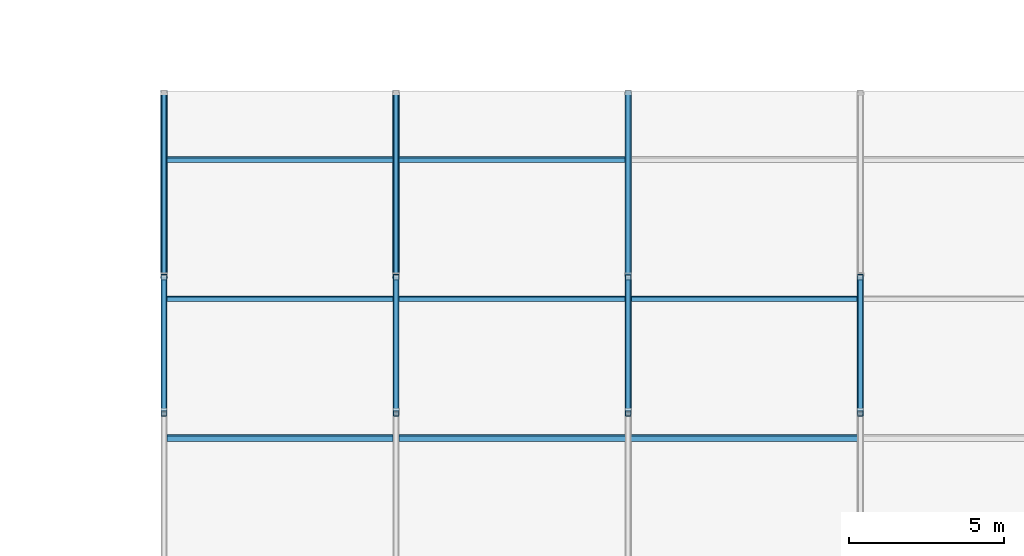
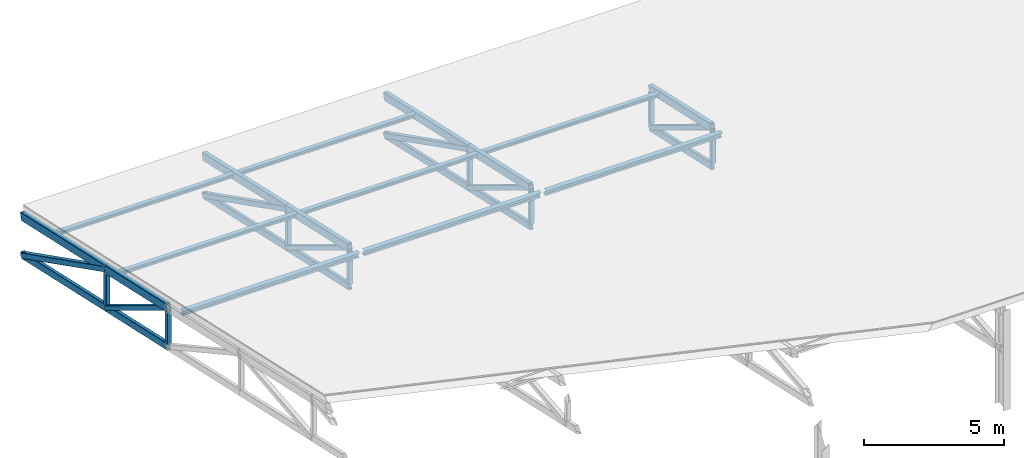
# One storey, part 34 of 77: 37 members.
"""IFC4 building model written with IfcOpenShell, lengths in metres."""

import ifcopenshell
import ifcopenshell.guid

model = None  # the IFC model being written
_history = None  # IfcOwnerHistory: only IFC2X3 demands one
_inside = {}  # id of a spatial element -> (the spatial element, [elements in it])
_under = {}  # id of a project, library or spatial element -> (it, [spatial elements below it])
_declared = {}  # id of a project -> (the project, [libraries it declares])
_typed = {}  # id of a type object -> (the type object, [elements of that type])
_made_of = {}  # id of a material, layer set ... -> (it, [elements and type objects made of it])


def new_model(schema):
    """Start an empty IFC model of exactly this schema.

    Asked for "IFC4X3", IfcOpenShell would pick the latest addendum, in which some entities
    have other attributes; the version numbers below select the first issue.
    IFC2X3 requires an IfcOwnerHistory on every rooted entity: one is made here for all.
    """
    global model, _history
    if schema == "IFC4X3":
        model = ifcopenshell.file(schema_version=(4, 3, 0, 0))
    else:
        model = ifcopenshell.file(schema=schema)
    _inside.clear()
    _under.clear()
    _declared.clear()
    _typed.clear()
    _made_of.clear()
    _history = None
    if model.schema == "IFC2X3":
        org = make("IfcOrganization", Name="unknown")
        user = make(
            "IfcPersonAndOrganization",
            ThePerson=make("IfcPerson", FamilyName="unknown"),
            TheOrganization=org,
        )
        app = make(
            "IfcApplication",
            ApplicationDeveloper=org,
            Version="unknown",
            ApplicationFullName="unknown",
            ApplicationIdentifier="unknown",
        )
        _history = make(
            "IfcOwnerHistory",
            OwningUser=user,
            OwningApplication=app,
            ChangeAction="ADDED",
            CreationDate=0,
        )
    return model


def make(cls, **values):
    """One entity of the class cls with the attributes given. An attribute that is None is left unset."""
    return model.create_entity(
        cls, **{name: value for name, value in values.items() if value is not None}
    )


def rooted(cls, **values):
    """An entity with a GlobalId (a new one), such as an element, a storey or a relation."""
    return make(cls, GlobalId=ifcopenshell.guid.new(), OwnerHistory=_history, **values)


def si_unit(unit_type, name, prefix=None):
    """IfcSIUnit, for example si_unit("LENGTHUNIT", "METRE", prefix="MILLI")."""
    return make("IfcSIUnit", UnitType=unit_type, Prefix=prefix, Name=name)


def assignment(units):
    """IfcUnitAssignment: the units of a project."""
    return None if units is None else make("IfcUnitAssignment", Units=units)


def point(xyz):
    """IfcCartesianPoint."""
    return None if xyz is None else make("IfcCartesianPoint", Coordinates=xyz)


def direction(xyz):
    """IfcDirection."""
    return None if xyz is None else make("IfcDirection", DirectionRatios=xyz)


def frame(location, z_axis=None, x_axis=None):
    """IfcAxis2Placement3D, a coordinate frame: its origin and axes. An axis left out is left unset."""
    return make(
        "IfcAxis2Placement3D",
        Location=point(location),
        Axis=direction(z_axis),
        RefDirection=direction(x_axis),
    )


def frame_2d(location, x_axis=None):
    """IfcAxis2Placement2D, a coordinate frame in the plane: its origin and x axis."""
    return make(
        "IfcAxis2Placement2D", Location=point(location), RefDirection=direction(x_axis)
    )


def origin():
    """The frame at (0, 0, 0) with its axes left unset."""
    return frame((0.0, 0.0, 0.0))


def origin_2d():
    """The frame at (0, 0) in the plane with its x axis left unset."""
    return frame_2d((0.0, 0.0))


def place(relative_to, where):
    """IfcLocalPlacement: puts the frame where relative to a parent placement (None: the world)."""
    return make(
        "IfcLocalPlacement", PlacementRelTo=relative_to, RelativePlacement=where
    )


def context(
    kind, dimensions, precision=None, world=None, true_north=None, identifier=None
):
    """IfcGeometricRepresentationContext, for example the 3D "Model" context."""
    return make(
        "IfcGeometricRepresentationContext",
        ContextIdentifier=identifier,
        ContextType=kind,
        CoordinateSpaceDimension=dimensions,
        Precision=precision,
        WorldCoordinateSystem=world,
        TrueNorth=true_north,
    )


def subcontext(parent, identifier, kind, view, scale=None):
    """IfcGeometricRepresentationSubContext, for example "Body" below "Model"."""
    return make(
        "IfcGeometricRepresentationSubContext",
        ContextIdentifier=identifier,
        ContextType=kind,
        ParentContext=parent,
        TargetScale=scale,
        TargetView=view,
    )


def project(units=None, contexts=None):
    """IfcProject with its units and contexts."""
    return rooted(
        "IfcProject",
        Name="project",
        RepresentationContexts=contexts,
        UnitsInContext=assignment(units),
    )


def spatial(cls, under=None, at=None, **own):
    """A site, building, storey or space (cls), placed at a placement, below another one or the project."""
    s = rooted(cls, ObjectPlacement=at, **own)
    if under is not None:
        _under.setdefault(under.id(), (under, []))[1].append(s)
    return s


def profile(cls, at=None, kind="AREA", **sizes):
    """A parametric profile (cls). Its sizes go by their IFC names, for example OverallWidth=200.0."""
    return make(cls, ProfileType=kind, Position=at, **sizes)


def hollow_rectangle(**sizes):
    """IfcRectangleHollowProfileDef."""
    return profile("IfcRectangleHollowProfileDef", **sizes)


def i_section(**sizes):
    """IfcIShapeProfileDef."""
    return profile("IfcIShapeProfileDef", **sizes)


def extrude(swept, where, along, depth):
    """IfcExtrudedAreaSolid: the profile swept, set in the frame where, extruded along a direction by depth."""
    return make(
        "IfcExtrudedAreaSolid",
        SweptArea=swept,
        Position=where,
        ExtrudedDirection=direction(along),
        Depth=depth,
    )


def shape(context_of_items, identifier, shape_type, items):
    """IfcShapeRepresentation: the items that make up one representation, for example the "Body"."""
    return make(
        "IfcShapeRepresentation",
        ContextOfItems=context_of_items,
        RepresentationIdentifier=identifier,
        RepresentationType=shape_type,
        Items=items,
    )


def material(Name=None, Category=None):
    """IfcMaterial."""
    return make("IfcMaterial", Name=Name, Category=Category)


def material_profile(
    of_material, cross_section, Name=None, Category=None, Priority=None
):
    """IfcMaterialProfile: a cross section and its material."""
    return make(
        "IfcMaterialProfile",
        Name=Name,
        Material=of_material,
        Profile=cross_section,
        Priority=Priority,
        Category=Category,
    )


def profile_set(profiles, Name=None, composite=None):
    """IfcMaterialProfileSet."""
    return make(
        "IfcMaterialProfileSet",
        Name=Name,
        MaterialProfiles=profiles,
        CompositeProfile=composite,
    )


def made_of(thing, what):
    """Note that an element or type object is made of a material, layer set ...; save() writes the relation."""
    if what is not None:
        _made_of.setdefault(what.id(), (what, []))[1].append(thing)
    return thing


def type_object(cls, material=None, **own):
    """A type object (cls), such as IfcWallType, which elements share."""
    return made_of(rooted(cls, **own), material)


def element(
    cls,
    number,
    at=None,
    inside=None,
    cuts=None,
    type_object=None,
    material=None,
    context=None,
    identifier="Body",
    shape_type=None,
    held_by="IfcProductDefinitionShape",
    body=None,
    shapes=None,
    **own,
):
    """One element of the class cls, such as IfcWall. Its Tag is "e" and its number.

    at: its placement. inside: the storey or other place that contains it. cuts: it is an
    opening in that element (IfcRelVoidsElement). A single representation is given by context,
    identifier, shape_type and body (its items); several are given by shapes. held_by: the class
    of the entity that holds the representations. save() writes the other relations.
    """
    e = rooted(cls, Tag="e%d" % number, ObjectPlacement=at, **own)
    if body is not None:
        shapes = [shape(context, identifier, shape_type, body)]
    if shapes is not None:
        e.Representation = make(held_by, Representations=shapes)
    if inside is not None:
        _inside.setdefault(inside.id(), (inside, []))[1].append(e)
    if cuts is not None:
        rooted(
            "IfcRelVoidsElement", RelatingBuildingElement=cuts, RelatedOpeningElement=e
        )
    if type_object is not None:
        _typed.setdefault(type_object.id(), (type_object, []))[1].append(e)
    return made_of(e, material)


def aggregate(whole, parts):
    """IfcRelAggregates: a whole, such as a stair, and the parts it consists of."""
    return rooted("IfcRelAggregates", RelatingObject=whole, RelatedObjects=parts)


def save(model, path):
    """Write the relations noted so far, then the file.

    IfcRelAggregates (storeys below a building ...), IfcRelContainedInSpatialStructure (elements
    in a storey), IfcRelDefinesByType, IfcRelAssociatesMaterial and IfcRelDeclares: one each for
    every whole, place, type object, material and project.
    """
    for whole, parts in _under.values():
        aggregate(whole, parts)
    for where, things in _inside.values():
        rooted(
            "IfcRelContainedInSpatialStructure",
            RelatedElements=things,
            RelatingStructure=where,
        )
    for kind, things in _typed.values():
        rooted("IfcRelDefinesByType", RelatedObjects=things, RelatingType=kind)
    for what, things in _made_of.values():
        rooted("IfcRelAssociatesMaterial", RelatedObjects=things, RelatingMaterial=what)
    for by, libraries in _declared.values():
        rooted("IfcRelDeclares", RelatingContext=by, RelatedDefinitions=libraries)
    model.write(path)


model = new_model("IFC4")

# Units and contexts
model_context = context("Model", 3, precision=1e-05, world=origin(), true_north=direction((0.0, 1.0)))
body_context = subcontext(model_context, "Body", "Model", "MODEL_VIEW")
ifc_project = project(units=[si_unit("LENGTHUNIT", "METRE"), si_unit("AREAUNIT", "SQUARE_METRE"), si_unit("VOLUMEUNIT", "CUBIC_METRE"), si_unit("PLANEANGLEUNIT", "RADIAN"), si_unit("MASSUNIT", "GRAM", prefix="KILO")], contexts=[model_context])

# Site, building, storey
site_placement = place(None, origin())
site = spatial("IfcSite", under=ifc_project, at=site_placement, CompositionType="ELEMENT")
building_placement = place(site_placement, origin())
building = spatial("IfcBuilding", under=site, at=building_placement, Name="Yukiwa Park Conservatory and Herbarium", CompositionType="ELEMENT")
storey_placement = place(building_placement, frame((0.0, 0.0, 13.199951171875)))
storey = spatial("IfcBuildingStorey", under=building, at=storey_placement, Name="L03", CompositionType="ELEMENT", Elevation=13.199951171875)

# Members
ifc_material_1 = material(Name="Steel Q355D", Category="steel")
ifc_material_profile_1 = material_profile(ifc_material_1, hollow_rectangle(XDim=0.14990234375, YDim=0.300048828125, WallThickness=0.010009765625, InnerFilletRadius=0.010009765625, OuterFilletRadius=0.02001953125, at=origin_2d()), Name="RHS 300x150x10")
ifc_profile_set_1 = profile_set([ifc_material_profile_1], Name="Steel Q355D")
member_type_1 = type_object("IfcMemberType", Name="MB-AU-CHORD300", PredefinedType="CHORD", material=ifc_profile_set_1)
member_1_placement = place(storey_placement, frame((22.5, 98.800048828125, -2.119384765625), z_axis=(0.0, 0.976300370705, -0.216419930139), x_axis=(-1.0, 0.0, 0.0)))
element("IfcMember", 1, at=member_1_placement, inside=storey, type_object=member_type_1, Name="Auditorium roof truss 2 bottom chord 5", PredefinedType="CHORD", context=body_context, shape_type="SweptSolid", body=[
    extrude(hollow_rectangle(XDim=0.14990234375, YDim=0.300048828125, WallThickness=0.010009765625, InnerFilletRadius=0.010009765625, OuterFilletRadius=0.02001953125, at=origin_2d()), origin(), (0.0, 0.0, 1.0), 4.506591796875),
])
member_2_placement = place(storey_placement, frame((22.5, 103.199951171875, -3.0947265625), z_axis=(0.0, 0.976245966032, -0.216665211344), x_axis=(-1.0, 0.0, 0.0)))
element("IfcMember", 2, at=member_2_placement, inside=storey, type_object=member_type_1, Name="Auditorium roof truss 2 bottom chord 6", PredefinedType="CHORD", context=body_context, shape_type="SweptSolid", body=[
    extrude(hollow_rectangle(XDim=0.14990234375, YDim=0.300048828125, WallThickness=0.010009765625, InnerFilletRadius=0.010009765625, OuterFilletRadius=0.02001953125, at=origin_2d()), origin(), (0.0, 0.0, 1.0), 6.139892578125),
])
member_3_placement = place(storey_placement, frame((30.0, 98.800048828125, -2.119384765625), z_axis=(0.0, 0.976300370705, -0.216419930139), x_axis=(-1.0, 0.0, 0.0)))
element("IfcMember", 3, at=member_3_placement, inside=storey, type_object=member_type_1, Name="Auditorium roof truss 3 bottom chord 5", PredefinedType="CHORD", context=body_context, shape_type="SweptSolid", body=[
    extrude(hollow_rectangle(XDim=0.14990234375, YDim=0.300048828125, WallThickness=0.010009765625, InnerFilletRadius=0.010009765625, OuterFilletRadius=0.02001953125, at=origin_2d()), origin(), (0.0, 0.0, 1.0), 4.506591796875),
])
member_4_placement = place(storey_placement, frame((30.0, 103.199951171875, -3.0947265625), z_axis=(0.0, 0.976245966032, -0.216665211344), x_axis=(-1.0, 0.0, 0.0)))
element("IfcMember", 4, at=member_4_placement, inside=storey, type_object=member_type_1, Name="Auditorium roof truss 3 bottom chord 6", PredefinedType="CHORD", context=body_context, shape_type="SweptSolid", body=[
    extrude(hollow_rectangle(XDim=0.14990234375, YDim=0.300048828125, WallThickness=0.010009765625, InnerFilletRadius=0.010009765625, OuterFilletRadius=0.02001953125, at=origin_2d()), origin(), (0.0, 0.0, 1.0), 6.139892578125),
])
member_5_placement = place(storey_placement, frame((37.5, 98.800048828125, -2.119384765625), z_axis=(0.0, 0.976300370705, -0.216419930139), x_axis=(-1.0, 0.0, 0.0)))
element("IfcMember", 5, at=member_5_placement, inside=storey, type_object=member_type_1, Name="Auditorium roof truss 4 bottom chord 5", PredefinedType="CHORD", context=body_context, shape_type="SweptSolid", body=[
    extrude(hollow_rectangle(XDim=0.14990234375, YDim=0.300048828125, WallThickness=0.010009765625, InnerFilletRadius=0.010009765625, OuterFilletRadius=0.02001953125, at=origin_2d()), origin(), (0.0, 0.0, 1.0), 4.506591796875),
])
ifc_material_2 = material(Name="Steel Q355D", Category="steel")
ifc_material_profile_2 = material_profile(ifc_material_2, hollow_rectangle(XDim=0.14990234375, YDim=0.300048828125, WallThickness=0.010009765625, InnerFilletRadius=0.010009765625, OuterFilletRadius=0.02001953125, at=origin_2d()), Name="RHS 300x150x10")
ifc_profile_set_2 = profile_set([ifc_material_profile_2], Name="Steel Q355D")
member_type_2 = type_object("IfcMemberType", Name="MB-AU-CHORD300-EXT", PredefinedType="CHORD", material=ifc_profile_set_2)
member_6_placement = place(storey_placement, frame((15.0, 98.800048828125, -2.119384765625), z_axis=(0.0, 0.976300370705, -0.216419930139), x_axis=(-1.0, 0.0, 0.0)))
element("IfcMember", 6, at=member_6_placement, inside=storey, type_object=member_type_2, Name="Auditorium roof truss 1 bottom chord 5", PredefinedType="CHORD", context=body_context, shape_type="SweptSolid", body=[
    extrude(hollow_rectangle(XDim=0.14990234375, YDim=0.300048828125, WallThickness=0.010009765625, InnerFilletRadius=0.010009765625, OuterFilletRadius=0.02001953125, at=origin_2d()), origin(), (0.0, 0.0, 1.0), 4.506591796875),
])
member_7_placement = place(storey_placement, frame((15.0, 103.199951171875, -3.0947265625), z_axis=(0.0, 0.976245966032, -0.216665211344), x_axis=(-1.0, 0.0, 0.0)))
element("IfcMember", 7, at=member_7_placement, inside=storey, type_object=member_type_2, Name="Auditorium roof truss 1 bottom chord 6", PredefinedType="CHORD", context=body_context, shape_type="SweptSolid", body=[
    extrude(hollow_rectangle(XDim=0.14990234375, YDim=0.300048828125, WallThickness=0.010009765625, InnerFilletRadius=0.010009765625, OuterFilletRadius=0.02001953125, at=origin_2d()), origin(), (0.0, 0.0, 1.0), 6.139892578125),
])
ifc_material_3 = material(Name="Steel Q355D", Category="steel")
ifc_material_profile_3 = material_profile(ifc_material_3, hollow_rectangle(XDim=0.199951171875, YDim=0.35009765625, WallThickness=0.011962890625, InnerFilletRadius=0.011962890625, OuterFilletRadius=0.02392578125, at=origin_2d()), Name="RHS 350x200x12")
ifc_profile_set_3 = profile_set([ifc_material_profile_3], Name="Steel Q355D")
member_type_3 = type_object("IfcMemberType", Name="MB-AU-CHORD350", PredefinedType="CHORD", material=ifc_profile_set_3)
member_8_placement = place(storey_placement, frame((22.5, 98.800048828125, -0.41943359375), z_axis=(0.0, 0.976300370705, -0.216419930139), x_axis=(-1.0, 0.0, 0.0)))
element("IfcMember", 8, at=member_8_placement, inside=storey, type_object=member_type_3, Name="Auditorium roof truss 2 top chord 5", PredefinedType="CHORD", context=body_context, shape_type="SweptSolid", body=[
    extrude(hollow_rectangle(XDim=0.199951171875, YDim=0.35009765625, WallThickness=0.011962890625, InnerFilletRadius=0.011962890625, OuterFilletRadius=0.02392578125, at=origin_2d()), origin(), (0.0, 0.0, 1.0), 4.506591796875),
])
member_9_placement = place(storey_placement, frame((22.5, 103.199951171875, -1.394775390625), z_axis=(0.0, 0.976254375849, -0.216627315071), x_axis=(-1.0, 0.0, 0.0)))
element("IfcMember", 9, at=member_9_placement, inside=storey, type_object=member_type_3, Name="Auditorium roof truss 2 top chord 6", PredefinedType="CHORD", context=body_context, shape_type="SweptSolid", body=[
    extrude(hollow_rectangle(XDim=0.199951171875, YDim=0.35009765625, WallThickness=0.011962890625, InnerFilletRadius=0.011962890625, OuterFilletRadius=0.02392578125, at=origin_2d()), origin(), (0.0, 0.0, 1.0), 6.139892578125),
])
member_10_placement = place(storey_placement, frame((30.0, 98.800048828125, -0.41943359375), z_axis=(0.0, 0.976300370705, -0.216419930139), x_axis=(-1.0, 0.0, 0.0)))
element("IfcMember", 10, at=member_10_placement, inside=storey, type_object=member_type_3, Name="Auditorium roof truss 3 top chord 5", PredefinedType="CHORD", context=body_context, shape_type="SweptSolid", body=[
    extrude(hollow_rectangle(XDim=0.199951171875, YDim=0.35009765625, WallThickness=0.011962890625, InnerFilletRadius=0.011962890625, OuterFilletRadius=0.02392578125, at=origin_2d()), origin(), (0.0, 0.0, 1.0), 4.506591796875),
])
member_11_placement = place(storey_placement, frame((30.0, 103.199951171875, -1.394775390625), z_axis=(0.0, 0.976254375849, -0.216627315071), x_axis=(-1.0, 0.0, 0.0)))
element("IfcMember", 11, at=member_11_placement, inside=storey, type_object=member_type_3, Name="Auditorium roof truss 3 top chord 6", PredefinedType="CHORD", context=body_context, shape_type="SweptSolid", body=[
    extrude(hollow_rectangle(XDim=0.199951171875, YDim=0.35009765625, WallThickness=0.011962890625, InnerFilletRadius=0.011962890625, OuterFilletRadius=0.02392578125, at=origin_2d()), origin(), (0.0, 0.0, 1.0), 6.139892578125),
])
member_12_placement = place(storey_placement, frame((37.5, 98.800048828125, -0.41943359375), z_axis=(0.0, 0.976300370705, -0.216419930139), x_axis=(-1.0, 0.0, 0.0)))
element("IfcMember", 12, at=member_12_placement, inside=storey, type_object=member_type_3, Name="Auditorium roof truss 4 top chord 5", PredefinedType="CHORD", context=body_context, shape_type="SweptSolid", body=[
    extrude(hollow_rectangle(XDim=0.199951171875, YDim=0.35009765625, WallThickness=0.011962890625, InnerFilletRadius=0.011962890625, OuterFilletRadius=0.02392578125, at=origin_2d()), origin(), (0.0, 0.0, 1.0), 4.506591796875),
])
ifc_material_4 = material(Name="Steel Q355D", Category="steel")
ifc_material_profile_4 = material_profile(ifc_material_4, hollow_rectangle(XDim=0.199951171875, YDim=0.35009765625, WallThickness=0.011962890625, InnerFilletRadius=0.011962890625, OuterFilletRadius=0.02392578125, at=origin_2d()), Name="RHS 350x200x12")
ifc_profile_set_4 = profile_set([ifc_material_profile_4], Name="Steel Q355D")
member_type_4 = type_object("IfcMemberType", Name="MB-AU-CHORD350-EXT", PredefinedType="CHORD", material=ifc_profile_set_4)
member_13_placement = place(storey_placement, frame((15.0, 98.800048828125, -0.41943359375), z_axis=(0.0, 0.976300370705, -0.216419930139), x_axis=(-1.0, 0.0, 0.0)))
element("IfcMember", 13, at=member_13_placement, inside=storey, type_object=member_type_4, Name="Auditorium roof truss 1 top chord 5", PredefinedType="CHORD", context=body_context, shape_type="SweptSolid", body=[
    extrude(hollow_rectangle(XDim=0.199951171875, YDim=0.35009765625, WallThickness=0.011962890625, InnerFilletRadius=0.011962890625, OuterFilletRadius=0.02392578125, at=origin_2d()), origin(), (0.0, 0.0, 1.0), 4.506591796875),
])
member_14_placement = place(storey_placement, frame((15.0, 103.199951171875, -1.394775390625), z_axis=(0.0, 0.976254375849, -0.216627315071), x_axis=(-1.0, 0.0, 0.0)))
element("IfcMember", 14, at=member_14_placement, inside=storey, type_object=member_type_4, Name="Auditorium roof truss 1 top chord 6", PredefinedType="CHORD", context=body_context, shape_type="SweptSolid", body=[
    extrude(hollow_rectangle(XDim=0.199951171875, YDim=0.35009765625, WallThickness=0.011962890625, InnerFilletRadius=0.011962890625, OuterFilletRadius=0.02392578125, at=origin_2d()), origin(), (0.0, 0.0, 1.0), 6.139892578125),
])
ifc_material_5 = material(Name="Steel Q355D", Category="steel")
ifc_material_profile_5 = material_profile(ifc_material_5, hollow_rectangle(XDim=0.199951171875, YDim=0.199951171875, WallThickness=0.010009765625, InnerFilletRadius=0.010009765625, OuterFilletRadius=0.02001953125, at=origin_2d()), Name="SHS 200x200x10")
ifc_profile_set_5 = profile_set([ifc_material_profile_5], Name="Steel Q355D")
member_type_5 = type_object("IfcMemberType", Name="MB-AU-DIAG200", PredefinedType="BRACE", material=ifc_profile_set_5)
for number, where, z_axis, x_axis, name in (
    (15, (22.5, 98.800048828125, -0.41943359375), (0.0, 0.854449311862, -0.519534766362), (-1.0, 0.0, 0.0), "Auditorium roof truss 2 web diagonal 5"),
    (16, (30.0, 98.800048828125, -0.41943359375), (0.0, 0.854449311862, -0.519534766362), (-1.0, 0.0, 0.0), "Auditorium roof truss 3 web diagonal 5"),
    (17, (37.5, 98.800048828125, -0.41943359375), (0.0, 0.854449311862, -0.519534766362), (-1.0, 0.0, 0.0), "Auditorium roof truss 4 web diagonal 5"),
):
    element("IfcMember", number, at=place(storey_placement, frame(where, z_axis=z_axis, x_axis=x_axis)), inside=storey, type_object=member_type_5, Name=name, PredefinedType="BRACE", context=body_context, shape_type="SweptSolid", body=[
        extrude(hollow_rectangle(XDim=0.199951171875, YDim=0.199951171875, WallThickness=0.010009765625, InnerFilletRadius=0.010009765625, OuterFilletRadius=0.02001953125, at=origin_2d()), origin(), (0.0, 0.0, 1.0), 5.1494140625),
    ])
ifc_material_6 = material(Name="Steel Q355D", Category="steel")
ifc_material_profile_6 = material_profile(ifc_material_6, hollow_rectangle(XDim=0.199951171875, YDim=0.199951171875, WallThickness=0.010009765625, InnerFilletRadius=0.010009765625, OuterFilletRadius=0.02001953125, at=origin_2d()), Name="SHS 200x200x10")
ifc_profile_set_6 = profile_set([ifc_material_profile_6], Name="Steel Q355D")
member_type_6 = type_object("IfcMemberType", Name="MB-AU-DIAG200-EXT", PredefinedType="BRACE", material=ifc_profile_set_6)
member_15_placement = place(storey_placement, frame((15.0, 98.800048828125, -0.41943359375), z_axis=(0.0, 0.854449311862, -0.519534766362), x_axis=(-1.0, 0.0, 0.0)))
element("IfcMember", 18, at=member_15_placement, inside=storey, type_object=member_type_6, Name="Auditorium roof truss 1 web diagonal 5", PredefinedType="BRACE", context=body_context, shape_type="SweptSolid", body=[
    extrude(hollow_rectangle(XDim=0.199951171875, YDim=0.199951171875, WallThickness=0.010009765625, InnerFilletRadius=0.010009765625, OuterFilletRadius=0.02001953125, at=origin_2d()), origin(), (0.0, 0.0, 1.0), 5.1494140625),
])
ifc_material_7 = material(Name="Steel Q355D", Category="steel")
ifc_material_profile_7 = material_profile(ifc_material_7, hollow_rectangle(XDim=0.219970703125, YDim=0.219970703125, WallThickness=0.010009765625, InnerFilletRadius=0.010009765625, OuterFilletRadius=0.02001953125, at=origin_2d()), Name="SHS 220x220x10")
ifc_profile_set_7 = profile_set([ifc_material_profile_7], Name="Steel Q355D")
member_type_7 = type_object("IfcMemberType", Name="MB-AU-DIAG220", PredefinedType="BRACE", material=ifc_profile_set_7)
for number, where, z_axis, x_axis, name in (
    (19, (22.5, 103.199951171875, -1.394775390625), (0.0, 0.89225586594, -0.45153014262), (-1.0, 0.0, 0.0), "Auditorium roof truss 2 web diagonal 6"),
    (20, (30.0, 103.199951171875, -1.394775390625), (0.0, 0.89225586594, -0.45153014262), (-1.0, 0.0, 0.0), "Auditorium roof truss 3 web diagonal 6"),
):
    element("IfcMember", number, at=place(storey_placement, frame(where, z_axis=z_axis, x_axis=x_axis)), inside=storey, type_object=member_type_7, Name=name, PredefinedType="BRACE", context=body_context, shape_type="SweptSolid", body=[
        extrude(hollow_rectangle(XDim=0.219970703125, YDim=0.219970703125, WallThickness=0.010009765625, InnerFilletRadius=0.010009765625, OuterFilletRadius=0.02001953125, at=origin_2d()), origin(), (0.0, 0.0, 1.0), 6.711181640625),
    ])
ifc_material_8 = material(Name="Steel Q355D", Category="steel")
ifc_material_profile_8 = material_profile(ifc_material_8, hollow_rectangle(XDim=0.219970703125, YDim=0.219970703125, WallThickness=0.010009765625, InnerFilletRadius=0.010009765625, OuterFilletRadius=0.02001953125, at=origin_2d()), Name="SHS 220x220x10")
ifc_profile_set_8 = profile_set([ifc_material_profile_8], Name="Steel Q355D")
member_type_8 = type_object("IfcMemberType", Name="MB-AU-DIAG220-EXT", PredefinedType="BRACE", material=ifc_profile_set_8)
member_16_placement = place(storey_placement, frame((15.0, 103.199951171875, -1.394775390625), z_axis=(0.0, 0.89225586594, -0.45153014262), x_axis=(-1.0, 0.0, 0.0)))
element("IfcMember", 21, at=member_16_placement, inside=storey, type_object=member_type_8, Name="Auditorium roof truss 1 web diagonal 6", PredefinedType="BRACE", context=body_context, shape_type="SweptSolid", body=[
    extrude(hollow_rectangle(XDim=0.219970703125, YDim=0.219970703125, WallThickness=0.010009765625, InnerFilletRadius=0.010009765625, OuterFilletRadius=0.02001953125, at=origin_2d()), origin(), (0.0, 0.0, 1.0), 6.711181640625),
])
ifc_material_9 = material(Name="Steel Q355D", Category="steel")
ifc_material_profile_9 = material_profile(ifc_material_9, hollow_rectangle(XDim=0.179931640625, YDim=0.179931640625, WallThickness=0.008056640625, InnerFilletRadius=0.008056640625, OuterFilletRadius=0.01611328125, at=origin_2d()), Name="SHS 180x180x8")
ifc_profile_set_9 = profile_set([ifc_material_profile_9], Name="Steel Q355D")
member_type_9 = type_object("IfcMemberType", Name="MB-AU-WEB180", PredefinedType="MEMBER", material=ifc_profile_set_9)
for number, where, z_axis, x_axis, name in (
    (22, (15.0, 98.800048828125, -1.974365234375), (0.0, 0.0, 1.0), (1.0, 0.0, 0.0), "Auditorium roof truss 1 vertical web 4"),
    (23, (15.0, 103.199951171875, -2.94970703125), (0.0, 0.0, 1.0), (1.0, 0.0, 0.0), "Auditorium roof truss 1 vertical web 5"),
    (24, (22.5, 98.800048828125, -1.974365234375), (0.0, 0.0, 1.0), (1.0, 0.0, 0.0), "Auditorium roof truss 2 vertical web 4"),
    (25, (22.5, 103.199951171875, -2.94970703125), (0.0, 0.0, 1.0), (1.0, 0.0, 0.0), "Auditorium roof truss 2 vertical web 5"),
    (26, (30.0, 98.800048828125, -1.974365234375), (0.0, 0.0, 1.0), (1.0, 0.0, 0.0), "Auditorium roof truss 3 vertical web 4"),
    (27, (30.0, 103.199951171875, -2.94970703125), (0.0, 0.0, 1.0), (1.0, 0.0, 0.0), "Auditorium roof truss 3 vertical web 5"),
    (28, (37.5, 98.800048828125, -1.974365234375), (0.0, 0.0, 1.0), (1.0, 0.0, 0.0), "Auditorium roof truss 4 vertical web 4"),
    (29, (37.5, 103.199951171875, -2.94970703125), (0.0, 0.0, 1.0), (1.0, 0.0, 0.0), "Auditorium roof truss 4 vertical web 5"),
):
    element("IfcMember", number, at=place(storey_placement, frame(where, z_axis=z_axis, x_axis=x_axis)), inside=storey, type_object=member_type_9, Name=name, PredefinedType="MEMBER", context=body_context, shape_type="SweptSolid", body=[
        extrude(hollow_rectangle(XDim=0.179931640625, YDim=0.179931640625, WallThickness=0.008056640625, InnerFilletRadius=0.008056640625, OuterFilletRadius=0.01611328125, at=origin_2d()), origin(), (0.0, 0.0, 1.0), 1.385009765625),
    ])
ifc_material_10 = material(Name="Steel Q355D", Category="steel")
ifc_material_profile_10 = material_profile(ifc_material_10, i_section(OverallWidth=0.14990234375, OverallDepth=0.194091796875, WebThickness=0.006103515625, FlangeThickness=0.009033203125, FilletRadius=0.012939453125, at=origin_2d()), Name="HM 194x150x6x9")
ifc_profile_set_10 = profile_set([ifc_material_profile_10], Name="Steel Q355D")
member_type_10 = type_object("IfcMemberType", Name="MB-RF-PURL194", PredefinedType="PURLIN", material=ifc_profile_set_10)
for number, where, z_axis, x_axis, name in (
    (30, (15.094970703125, 102.5, -1.1845703125), (1.0, 0.0, 0.0), (0.0, 0.97629600712, 0.216439613938), "Auditorium roof purlin 1.102"),
    (31, (15.094970703125, 107.0, -2.182373046875), (1.0, 0.0, 0.0), (0.0, 0.97629600712, 0.216439613938), "Auditorium roof purlin 1.107"),
    (32, (22.594970703125, 102.5, -1.1845703125), (1.0, 0.0, 0.0), (0.0, 0.97629600712, 0.216439613938), "Auditorium roof purlin 2.102"),
    (33, (22.594970703125, 107.0, -2.182373046875), (1.0, 0.0, 0.0), (0.0, 0.97629600712, 0.216439613938), "Auditorium roof purlin 2.107"),
    (34, (30.094970703125, 102.5, -1.1845703125), (1.0, 0.0, 0.0), (0.0, 0.97629600712, 0.216439613938), "Auditorium roof purlin 3.102"),
):
    element("IfcMember", number, at=place(storey_placement, frame(where, z_axis=z_axis, x_axis=x_axis)), inside=storey, type_object=member_type_10, Name=name, PredefinedType="PURLIN", context=body_context, shape_type="SweptSolid", body=[
        extrude(i_section(OverallWidth=0.14990234375, OverallDepth=0.194091796875, WebThickness=0.006103515625, FlangeThickness=0.009033203125, FilletRadius=0.012939453125, at=origin_2d()), origin(), (0.0, 0.0, 1.0), 7.31005859375),
    ])
ifc_material_11 = material(Name="Steel Q355D", Category="steel")
ifc_material_profile_11 = material_profile(ifc_material_11, i_section(OverallWidth=0.175048828125, OverallDepth=0.243896484375, WebThickness=0.007080078125, FlangeThickness=0.010986328125, FilletRadius=0.01611328125, at=origin_2d()), Name="HM 244x175x7x11")
ifc_profile_set_11 = profile_set([ifc_material_profile_11], Name="Steel Q355D")
member_type_11 = type_object("IfcMemberType", Name="MB-RF-PURL244", PredefinedType="PURLIN", material=ifc_profile_set_11)
for number, where, z_axis, x_axis, name in (
    (35, (15.094970703125, 98.0, -0.18701171875), (1.0, 0.0, 0.0), (0.0, 0.97629600712, 0.216439613938), "Auditorium roof purlin 1.98"),
    (36, (22.594970703125, 98.0, -0.18701171875), (1.0, 0.0, 0.0), (0.0, 0.97629600712, 0.216439613938), "Auditorium roof purlin 2.98"),
    (37, (30.094970703125, 98.0, -0.18701171875), (1.0, 0.0, 0.0), (0.0, 0.97629600712, 0.216439613938), "Auditorium roof purlin 3.98"),
):
    element("IfcMember", number, at=place(storey_placement, frame(where, z_axis=z_axis, x_axis=x_axis)), inside=storey, type_object=member_type_11, Name=name, PredefinedType="PURLIN", context=body_context, shape_type="SweptSolid", body=[
        extrude(i_section(OverallWidth=0.175048828125, OverallDepth=0.243896484375, WebThickness=0.007080078125, FlangeThickness=0.010986328125, FilletRadius=0.01611328125, at=origin_2d()), origin(), (0.0, 0.0, 1.0), 7.31005859375),
    ])

save(model, "model.ifc")
